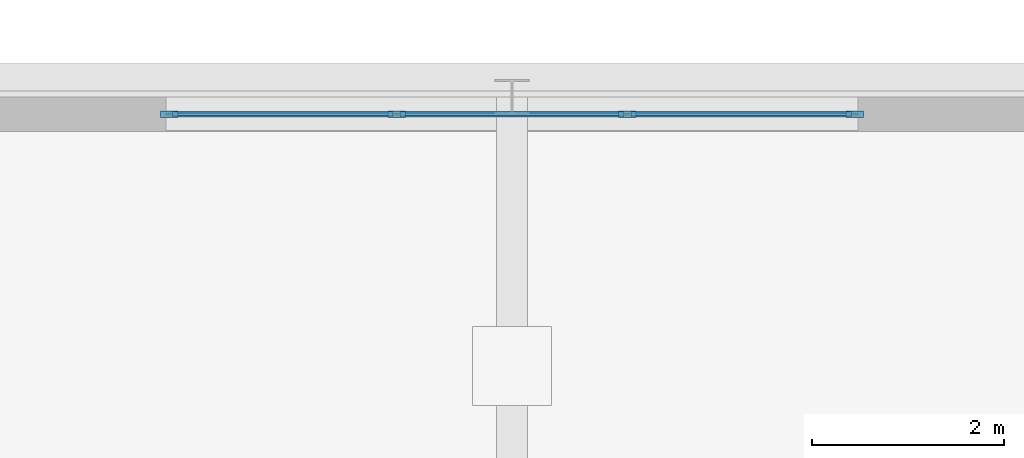
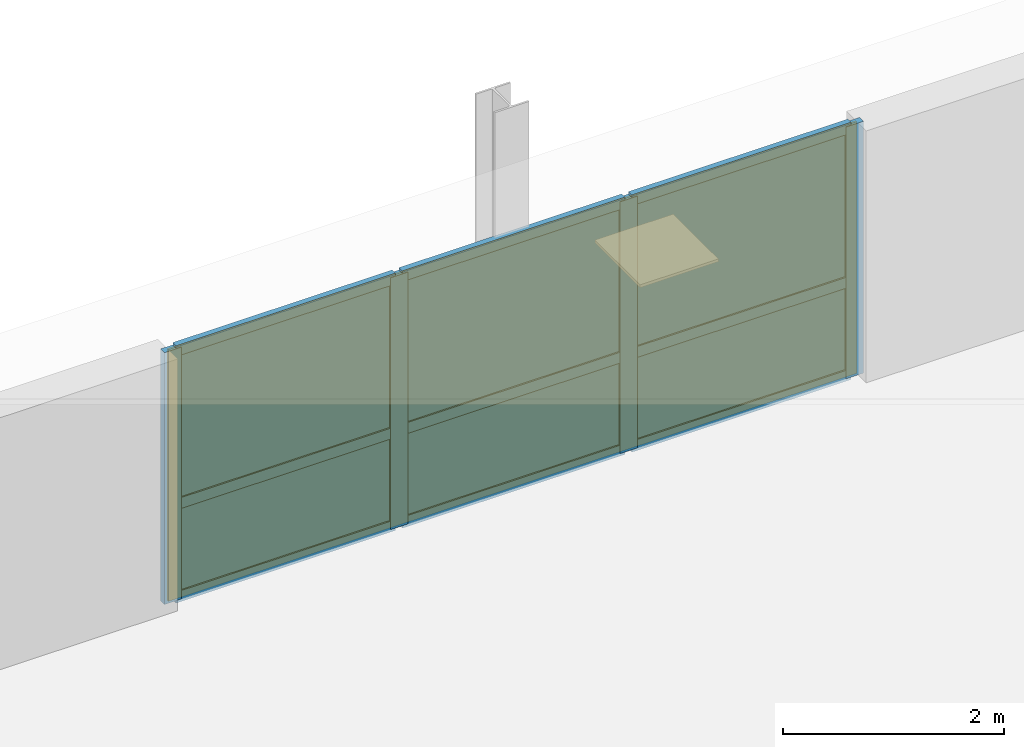
# One storey, part 11 of 17: 13 members, 6 plates, 1 curtain wall.
"""IFC4 building model written with IfcOpenShell, lengths in metres."""

from ifc_helpers import new_model, si_unit, direction, frame, frame_2d, origin, origin_2d, place, context, subcontext, project, spatial, rectangle, extrude, source, transform, mapped, material, layer, layer_set, material_profile, profile_set, type_object, type_shapes, element, aggregate, save


model = new_model("IFC4")

# Units and contexts
model_context = context("Model", 3, precision=1e-05, world=origin(), true_north=direction((0.0, 1.0)))
body_context = subcontext(model_context, "Body", "Model", "MODEL_VIEW")
ifc_project = project(units=[si_unit("LENGTHUNIT", "METRE"), si_unit("AREAUNIT", "SQUARE_METRE"), si_unit("VOLUMEUNIT", "CUBIC_METRE"), si_unit("PLANEANGLEUNIT", "RADIAN"), si_unit("MASSUNIT", "GRAM", prefix="KILO")], contexts=[model_context])

# Member
ifc_material_1 = material(Name="Anodised aluminium 6063-T6", Category="aluminium")
ifc_material_profile_1 = material_profile(ifc_material_1, rectangle(XDim=0.070068359375, YDim=0.179931640625, at=origin_2d()), Name="ALU-MULL-70x180")
ifc_profile_set_1 = profile_set([ifc_material_profile_1], Name="Anodised aluminium 6063-T6")
member_type_1 = type_object("IfcMemberType", Name="CWM-2", PredefinedType="MULLION", material=ifc_profile_set_1)
site_placement = place(None, origin())
building_placement = place(site_placement, origin())
storey_placement = place(building_placement, frame((0.0, 0.0, 23.0)))
member_1_placement = place(storey_placement, frame((-3.56494140625, 25.820068359375, 0.0), z_axis=(0.0, 0.0, 1.0), x_axis=(0.0, 1.0, 0.0)))
member_1 = element("IfcMember", 1, at=member_1_placement, type_object=member_type_1, Name="CWS-2 mullion 1", PredefinedType="MULLION", context=body_context, shape_type="SweptSolid", body=[
    extrude(rectangle(XDim=0.070068359375, YDim=0.179931640625, at=origin_2d()), origin(), (0.0, 0.0, 1.0), 2.784912109375),
])

member_2_placement = place(storey_placement, frame((-1.199951171875, 25.820068359375, 0.0), z_axis=(0.0, 0.0, 1.0), x_axis=(0.0, 1.0, 0.0)))
member_2 = element("IfcMember", 2, at=member_2_placement, type_object=member_type_1, Name="CWS-2 mullion 2", PredefinedType="MULLION", context=body_context, shape_type="SweptSolid", body=[
    extrude(rectangle(XDim=0.070068359375, YDim=0.179931640625, at=origin_2d()), origin(), (0.0, 0.0, 1.0), 2.784912109375),
])

member_3_placement = place(storey_placement, frame((1.199951171875, 25.820068359375, 0.0), z_axis=(0.0, 0.0, 1.0), x_axis=(0.0, 1.0, 0.0)))
member_3 = element("IfcMember", 3, at=member_3_placement, type_object=member_type_1, Name="CWS-2 mullion 3", PredefinedType="MULLION", context=body_context, shape_type="SweptSolid", body=[
    extrude(rectangle(XDim=0.070068359375, YDim=0.179931640625, at=origin_2d()), origin(), (0.0, 0.0, 1.0), 2.784912109375),
])

member_4_placement = place(storey_placement, frame((3.56494140625, 25.820068359375, 0.0), z_axis=(0.0, 0.0, 1.0), x_axis=(0.0, 1.0, 0.0)))
member_4 = element("IfcMember", 4, at=member_4_placement, type_object=member_type_1, Name="CWS-2 mullion 4", PredefinedType="MULLION", context=body_context, shape_type="SweptSolid", body=[
    extrude(rectangle(XDim=0.070068359375, YDim=0.179931640625, at=origin_2d()), origin(), (0.0, 0.0, 1.0), 2.784912109375),
])

ifc_material_profile_2 = material_profile(ifc_material_1, rectangle(XDim=0.06005859375, YDim=0.1201171875, at=origin_2d()), Name="ALU-TRAN-60x120")
ifc_profile_set_2 = profile_set([ifc_material_profile_2], Name="Anodised aluminium 6063-T6")
member_type_2 = type_object("IfcMemberType", Name="CWT-2", PredefinedType="USERDEFINED", material=ifc_profile_set_2)
member_5_placement = place(storey_placement, frame((-3.530029296875, 25.820068359375, 0.030029296875), z_axis=(1.0, 0.0, 0.0), x_axis=(0.0, 1.0, 0.0)))
member_5 = element("IfcMember", 5, at=member_5_placement, type_object=member_type_2, Name="CWS-2 transom 1.1", ObjectType="TRANSOM", PredefinedType="USERDEFINED", context=body_context, shape_type="SweptSolid", body=[
    extrude(rectangle(XDim=0.06005859375, YDim=0.1201171875, at=origin_2d()), origin(), (0.0, 0.0, 1.0), 2.294921875),
])

member_6_placement = place(storey_placement, frame((-3.530029296875, 25.820068359375, 1.058349609375), z_axis=(1.0, 0.0, 0.0), x_axis=(0.0, 1.0, 0.0)))
member_6 = element("IfcMember", 6, at=member_6_placement, type_object=member_type_2, Name="CWS-2 transom 1.2", ObjectType="TRANSOM", PredefinedType="USERDEFINED", context=body_context, shape_type="SweptSolid", body=[
    extrude(rectangle(XDim=0.06005859375, YDim=0.1201171875, at=origin_2d()), origin(), (0.0, 0.0, 1.0), 2.294921875),
])

member_7_placement = place(storey_placement, frame((-3.530029296875, 25.820068359375, 2.7548828125), z_axis=(1.0, 0.0, 0.0), x_axis=(0.0, 1.0, 0.0)))
member_7 = element("IfcMember", 7, at=member_7_placement, type_object=member_type_2, Name="CWS-2 transom 1.3", ObjectType="TRANSOM", PredefinedType="USERDEFINED", context=body_context, shape_type="SweptSolid", body=[
    extrude(rectangle(XDim=0.06005859375, YDim=0.1201171875, at=origin_2d()), origin(), (0.0, 0.0, 1.0), 2.294921875),
])

member_8_placement = place(storey_placement, frame((-1.1650390625, 25.820068359375, 0.030029296875), z_axis=(1.0, 0.0, 0.0), x_axis=(0.0, 1.0, 0.0)))
member_8 = element("IfcMember", 8, at=member_8_placement, type_object=member_type_2, Name="CWS-2 transom 2.1", ObjectType="TRANSOM", PredefinedType="USERDEFINED", context=body_context, shape_type="SweptSolid", body=[
    extrude(rectangle(XDim=0.06005859375, YDim=0.1201171875, at=origin_2d()), origin(), (0.0, 0.0, 1.0), 2.330078125),
])

member_9_placement = place(storey_placement, frame((-1.1650390625, 25.820068359375, 1.058349609375), z_axis=(1.0, 0.0, 0.0), x_axis=(0.0, 1.0, 0.0)))
member_9 = element("IfcMember", 9, at=member_9_placement, type_object=member_type_2, Name="CWS-2 transom 2.2", ObjectType="TRANSOM", PredefinedType="USERDEFINED", context=body_context, shape_type="SweptSolid", body=[
    extrude(rectangle(XDim=0.06005859375, YDim=0.1201171875, at=origin_2d()), origin(), (0.0, 0.0, 1.0), 2.330078125),
])

member_10_placement = place(storey_placement, frame((-1.1650390625, 25.820068359375, 2.7548828125), z_axis=(1.0, 0.0, 0.0), x_axis=(0.0, 1.0, 0.0)))
member_10 = element("IfcMember", 10, at=member_10_placement, type_object=member_type_2, Name="CWS-2 transom 2.3", ObjectType="TRANSOM", PredefinedType="USERDEFINED", context=body_context, shape_type="SweptSolid", body=[
    extrude(rectangle(XDim=0.06005859375, YDim=0.1201171875, at=origin_2d()), origin(), (0.0, 0.0, 1.0), 2.330078125),
])

member_11_placement = place(storey_placement, frame((1.235107421875, 25.820068359375, 0.030029296875), z_axis=(1.0, 0.0, 0.0), x_axis=(0.0, 1.0, 0.0)))
member_11 = element("IfcMember", 11, at=member_11_placement, type_object=member_type_2, Name="CWS-2 transom 3.1", ObjectType="TRANSOM", PredefinedType="USERDEFINED", context=body_context, shape_type="SweptSolid", body=[
    extrude(rectangle(XDim=0.06005859375, YDim=0.1201171875, at=origin_2d()), origin(), (0.0, 0.0, 1.0), 2.294921875),
])

member_12_placement = place(storey_placement, frame((1.235107421875, 25.820068359375, 1.058349609375), z_axis=(1.0, 0.0, 0.0), x_axis=(0.0, 1.0, 0.0)))
member_12 = element("IfcMember", 12, at=member_12_placement, type_object=member_type_2, Name="CWS-2 transom 3.2", ObjectType="TRANSOM", PredefinedType="USERDEFINED", context=body_context, shape_type="SweptSolid", body=[
    extrude(rectangle(XDim=0.06005859375, YDim=0.1201171875, at=origin_2d()), origin(), (0.0, 0.0, 1.0), 2.294921875),
])

member_13_placement = place(storey_placement, frame((1.235107421875, 25.820068359375, 2.7548828125), z_axis=(1.0, 0.0, 0.0), x_axis=(0.0, 1.0, 0.0)))
member_13 = element("IfcMember", 13, at=member_13_placement, type_object=member_type_2, Name="CWS-2 transom 3.3", ObjectType="TRANSOM", PredefinedType="USERDEFINED", context=body_context, shape_type="SweptSolid", body=[
    extrude(rectangle(XDim=0.06005859375, YDim=0.1201171875, at=origin_2d()), origin(), (0.0, 0.0, 1.0), 2.294921875),
])

# Plate
ifc_material_2 = material(Name="Insulated solar-control glass", Category="glass")
ifc_layer_1 = layer(ifc_material_2, 0.030029296875, Name="CWP-2")
ifc_layer_set_1 = layer_set([ifc_layer_1], Name="Insulated solar-control glass")
plate_type = type_object("IfcPlateType", Name="CWP-2", PredefinedType="CURTAIN_PANEL", material=ifc_layer_set_1)
shared_shape_1 = source(origin(), body_context, "Body", "SweptSolid", [
    extrude(rectangle(XDim=2.294921875, YDim=0.030029296875, at=origin_2d()), origin(), (0.0, 0.0, 1.0), 0.96826171875),
])
plate_1_placement = place(storey_placement, frame((-2.382568359375, 25.820068359375, 0.06005859375), z_axis=(0.0, 0.0, 1.0), x_axis=(1.0, 0.0, 0.0)))
plate_1 = element("IfcPlate", 14, at=plate_1_placement, type_object=plate_type, Name="CWS-2 panel 1.1", PredefinedType="CURTAIN_PANEL", context=body_context, shape_type="MappedRepresentation", body=[
    mapped(shared_shape_1, transform((0.0, 0.0, 0.0), scale=1.0)),
])

plate_2_placement = place(storey_placement, frame((2.382568359375, 25.820068359375, 0.06005859375), z_axis=(0.0, 0.0, 1.0), x_axis=(1.0, 0.0, 0.0)))
plate_2 = element("IfcPlate", 15, at=plate_2_placement, type_object=plate_type, Name="CWS-2 panel 3.1", PredefinedType="CURTAIN_PANEL", context=body_context, shape_type="MappedRepresentation", body=[
    mapped(shared_shape_1, transform((0.0, 0.0, 0.0), scale=1.0)),
])

shared_shape_2 = source(origin(), body_context, "Body", "SweptSolid", [
    extrude(rectangle(XDim=2.294921875, YDim=0.030029296875, at=origin_2d()), origin(), (0.0, 0.0, 1.0), 1.63671875),
])
plate_3_placement = place(storey_placement, frame((-2.382568359375, 25.820068359375, 1.08837890625), z_axis=(0.0, 0.0, 1.0), x_axis=(1.0, 0.0, 0.0)))
plate_3 = element("IfcPlate", 16, at=plate_3_placement, type_object=plate_type, Name="CWS-2 panel 1.2", PredefinedType="CURTAIN_PANEL", context=body_context, shape_type="MappedRepresentation", body=[
    mapped(shared_shape_2, transform((0.0, 0.0, 0.0), scale=1.0)),
])

plate_4_placement = place(storey_placement, frame((2.382568359375, 25.820068359375, 1.08837890625), z_axis=(0.0, 0.0, 1.0), x_axis=(1.0, 0.0, 0.0)))
plate_4 = element("IfcPlate", 17, at=plate_4_placement, type_object=plate_type, Name="CWS-2 panel 3.2", PredefinedType="CURTAIN_PANEL", context=body_context, shape_type="MappedRepresentation", body=[
    mapped(shared_shape_2, transform((0.0, 0.0, 0.0), scale=1.0)),
])

shared_shape_3 = source(origin(), body_context, "Body", "SweptSolid", [
    extrude(rectangle(XDim=2.330078125, YDim=0.030029296875, at=origin_2d()), origin(), (0.0, 0.0, 1.0), 0.96826171875),
])
plate_5_placement = place(storey_placement, frame((0.0, 25.820068359375, 0.06005859375), z_axis=(0.0, 0.0, 1.0), x_axis=(1.0, 0.0, 0.0)))
plate_5 = element("IfcPlate", 18, at=plate_5_placement, type_object=plate_type, Name="CWS-2 panel 2.1", PredefinedType="CURTAIN_PANEL", context=body_context, shape_type="MappedRepresentation", body=[
    mapped(shared_shape_3, transform((0.0, 0.0, 0.0), scale=1.0)),
])

shared_shape_4 = source(origin(), body_context, "Body", "SweptSolid", [
    extrude(rectangle(XDim=2.330078125, YDim=0.030029296875, at=origin_2d()), origin(), (0.0, 0.0, 1.0), 1.63671875),
])
type_shapes(plate_type, [shared_shape_1, shared_shape_2, shared_shape_3, shared_shape_4])
plate_6_placement = place(storey_placement, frame((0.0, 25.820068359375, 1.08837890625), z_axis=(0.0, 0.0, 1.0), x_axis=(1.0, 0.0, 0.0)))
plate_6 = element("IfcPlate", 19, at=plate_6_placement, type_object=plate_type, Name="CWS-2 panel 2.2", PredefinedType="CURTAIN_PANEL", context=body_context, shape_type="MappedRepresentation", body=[
    mapped(shared_shape_4, transform((0.0, 0.0, 0.0), scale=1.0)),
])

# Site, building, storey
site = spatial("IfcSite", under=ifc_project, at=site_placement, CompositionType="ELEMENT")
building = spatial("IfcBuilding", under=site, at=building_placement, Name="Nuvemarco Arch Tower", CompositionType="ELEMENT")
storey = spatial("IfcBuildingStorey", under=building, at=storey_placement, Name="L05", CompositionType="ELEMENT", Elevation=23.0)

# Curtain wall
ifc_layer_2 = layer(ifc_material_2, 0.179931640625, Name="CW-SYS-2")
ifc_layer_set_2 = layer_set([ifc_layer_2], Name="Insulated solar-control glass")
curtain_wall_type = type_object("IfcCurtainWallType", Name="CW-SYS-2", PredefinedType="NOTDEFINED", material=ifc_layer_set_2)
curtain_wall_placement = place(storey_placement, frame((-3.60009765625, 25.820068359375, 0.0), z_axis=(0.0, 0.0, 1.0), x_axis=(1.0, 0.0, 0.0)))
curtain_wall = element("IfcCurtainWall", 20, at=curtain_wall_placement, inside=storey, type_object=curtain_wall_type, Name="L05 curtain wall CWS-2", PredefinedType="NOTDEFINED", context=body_context, shape_type="SweptSolid", body=[
    extrude(rectangle(XDim=7.2001953125, YDim=0.02001953125, at=frame_2d((3.60009765625, 0.0))), origin(), (0.0, 0.0, 1.0), 2.784912109375),
])

aggregate(curtain_wall, [member_1, member_2, member_3, member_4, member_5, member_6, member_7, plate_1, plate_3, member_8, member_9, member_10, plate_5, plate_6, member_11, member_12, member_13, plate_2, plate_4])

save(model, "model.ifc")
